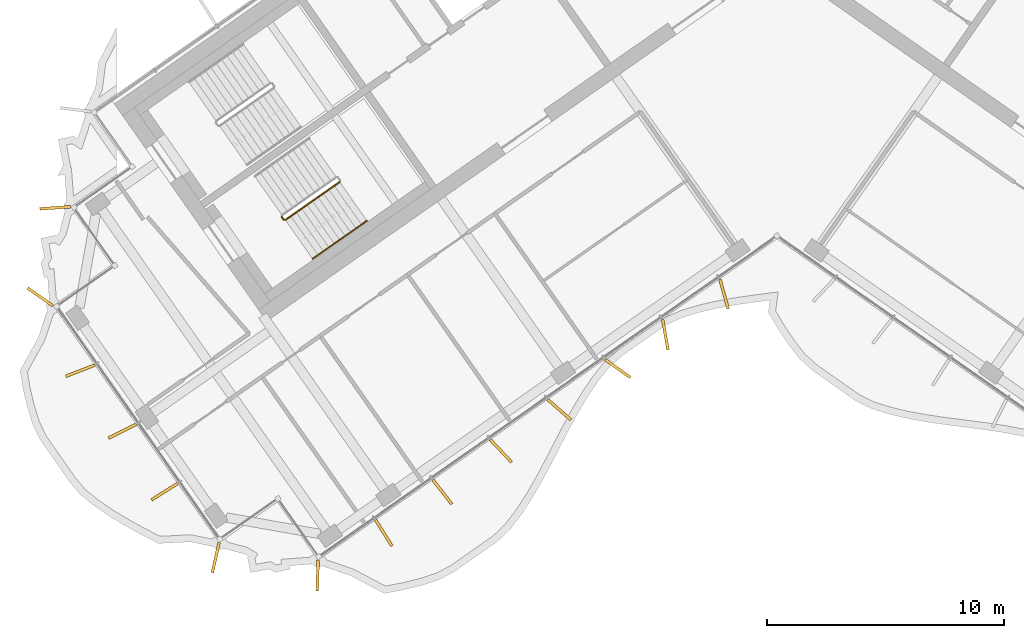
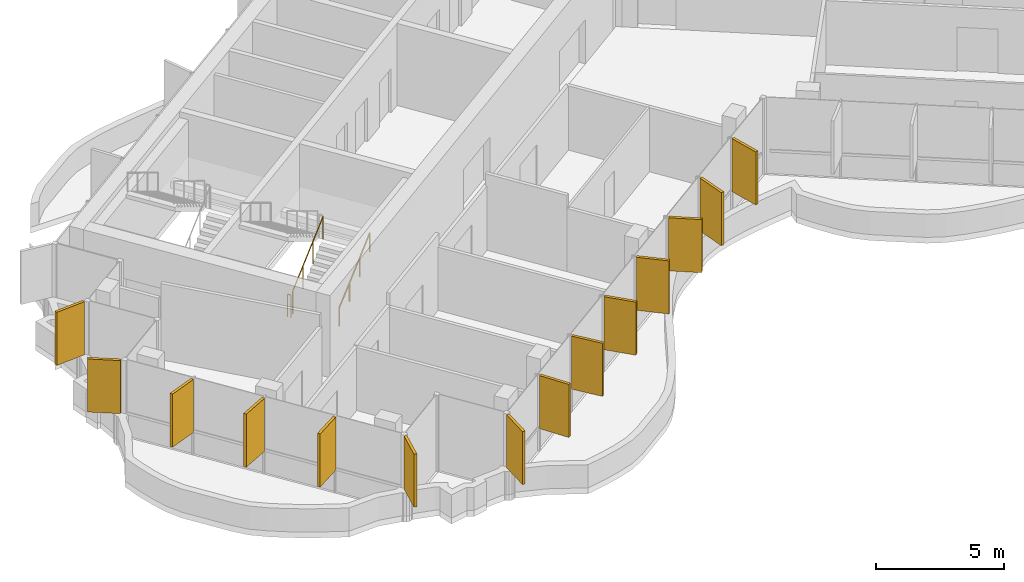
# One storey, part 13 of 18: 14 shading devices, 3 railings.
"""IFC4 building model written with IfcOpenShell, lengths in metres."""

from ifc_helpers import new_model, si_unit, direction, frame, origin, origin_2d, place, context, subcontext, project, spatial, rectangle, circle, extrude, material, layer, layer_set, type_object, element, save


model = new_model("IFC4")

# Units and contexts
model_context = context("Model", 3, precision=1e-05, world=origin(), true_north=direction((0.0, 1.0)))
body_context = subcontext(model_context, "Body", "Model", "MODEL_VIEW")
ifc_project = project(units=[si_unit("LENGTHUNIT", "METRE"), si_unit("AREAUNIT", "SQUARE_METRE"), si_unit("VOLUMEUNIT", "CUBIC_METRE"), si_unit("PLANEANGLEUNIT", "RADIAN"), si_unit("MASSUNIT", "GRAM", prefix="KILO")], contexts=[model_context])

# Site, building, storey
site_placement = place(None, origin())
site = spatial("IfcSite", under=ifc_project, at=site_placement, CompositionType="ELEMENT")
building_placement = place(site_placement, origin())
building = spatial("IfcBuilding", under=site, at=building_placement, Name="Tel Ilan Convention Tower", CompositionType="ELEMENT")
storey_placement = place(building_placement, frame((0.0, 0.0, 299.5)))
storey = spatial("IfcBuildingStorey", under=building, at=storey_placement, Name="L71", CompositionType="ELEMENT", Elevation=299.5)

# Shading devices
ifc_material_1 = material(Name="Aluminium, bronze anodised", Category="aluminium")
ifc_layer = layer(ifc_material_1, 0.1201171875)
ifc_layer_set = layer_set([ifc_layer], Name="FIN BRONZE 1300x120")
shading_device_type = type_object("IfcShadingDeviceType", Name="FIN BRONZE 1300x120", PredefinedType="USERDEFINED", material=ifc_layer_set)
for number, where, z_axis, x_axis, name in (
    (1, (-30.472412109375, -11.51513671875, 1.10009765625), (0.0, 0.0, 1.0), (-0.997697449973, -0.067821812994, 0.0), "FIN"),
    (2, (-31.10400390625, -15.2744140625, 1.10009765625), (0.0, 0.0, 1.0), (-0.819152044289, 0.573576436351, 0.0), "FIN"),
    (3, (-29.415283203125, -18.39208984375, 1.10009765625), (0.0, 0.0, 1.0), (-0.932883704733, -0.360177724803, 0.0), "FIN"),
    (4, (-27.6357421875, -20.94482421875, 1.10009765625), (0.0, 0.0, 1.0), (-0.893632640321, -0.448799180206, 0.0), "FIN"),
    (5, (-25.8505859375, -23.494873046875, 1.10009765625), (0.0, 0.0, 1.0), (-0.845986425922, -0.533204432798, 0.0), "FIN"),
    (6, (-23.693603515625, -26.281494140625, 1.10009765625), (0.0, 0.0, 1.0), (-0.221170268371, -0.975235208752, 0.0), "FIN"),
    (7, (-19.3916015625, -27.039794921875, 1.10009765625), (0.0, 0.0, 1.0), (-0.029084718749, -0.999576950082, 0.0), "FIN"),
    (8, (-16.601806640625, -25.23828125, 1.10009765625), (0.0, 0.0, 1.0), (0.533204432798, -0.845986425922, 0.0), "FIN"),
    (9, (-14.12890625, -23.5068359375, 1.10009765625), (0.0, 0.0, 1.0), (0.612600545196, -0.790392669516, 0.0), "FIN"),
    (10, (-11.65625, -21.775146484375, 1.10009765625), (0.0, 0.0, 1.0), (0.686241637865, -0.727373641577, 0.0), "FIN"),
    (11, (-9.18798828125, -20.038818359375, 1.10009765625), (0.0, 0.0, 1.0), (0.753435896329, -0.657521368568, 0.0), "FIN"),
    (12, (-6.72412109375, -18.298583984375, 1.10009765625), (0.0, 0.0, 1.0), (0.813552070258, -0.581492071294, 0.0), "FIN"),
    (13, (-4.715576171875, -16.86962890625, 1.10009765625), (0.0, 0.0, 1.0), (0.173648177667, -0.984807753012, 0.0), "FIN"),
    (14, (-2.23583984375, -15.15576171875, 1.10009765625), (0.0, 0.0, 1.0), (0.268172612768, -0.963370878614, 0.0), "FIN"),
):
    element("IfcShadingDevice", number, at=place(storey_placement, frame(where, z_axis=z_axis, x_axis=x_axis)), inside=storey, type_object=shading_device_type, Name=name, ObjectType="FIN", PredefinedType="USERDEFINED", context=body_context, shape_type="SweptSolid", body=[
        extrude(rectangle(XDim=1.300048828125, YDim=0.1201171875, at=origin_2d()), origin(), (0.0, 0.0, 1.0), 2.52001953125),
    ])

# Railings
ifc_material_2 = material(Name="Stainless Steel Grade 316", Category="steel")
railing_type_1 = type_object("IfcRailingType", Name="Stainless Steel Stair Guard 1100 mm", PredefinedType="GUARDRAIL", material=ifc_material_2)
railing_1_placement = place(storey_placement, frame((-20.753662109375, -12.029296875, 0.17724609375)))
element("IfcRailing", 15, at=railing_1_placement, inside=storey, type_object=railing_type_1, Name="L71 S2 stair guard 1", PredefinedType="GUARDRAIL", context=body_context, shape_type="SweptSolid", body=[
    extrude(circle(Radius=0.02392578125, at=origin_2d()), frame((0.0, 0.0, 1.076171875), z_axis=(0.692098378994, 0.484653031975, 0.534893701956), x_axis=(-0.573608623498, 0.819129505664, 0.0)), (0.0, 0.0, 1.0), 3.314208984375),
    extrude(circle(Radius=0.02099609375, at=origin_2d()), origin(), (0.0, 0.0, 1.0), 1.052001953125),
    extrude(circle(Radius=0.02099609375, at=origin_2d()), frame((0.7646484375, 0.535400390625, 0.5908203125)), (0.0, 0.0, 1.0), 1.052001953125),
    extrude(circle(Radius=0.02099609375, at=origin_2d()), frame((1.529052734375, 1.07080078125, 1.181884765625)), (0.0, 0.0, 1.0), 1.052001953125),
    extrude(circle(Radius=0.02099609375, at=origin_2d()), frame((2.293701171875, 1.606201171875, 1.772705078125)), (0.0, 0.0, 1.0), 1.052001953125),
])
railing_2_placement = place(storey_placement, frame((-20.8232421875, -12.016845703125, 0.0)))
element("IfcRailing", 16, at=railing_2_placement, inside=storey, type_object=railing_type_1, Name="L71 S2 stair guard 4", PredefinedType="GUARDRAIL", context=body_context, shape_type="SweptSolid", body=[
    extrude(circle(Radius=0.02392578125, at=origin_2d()), frame((0.0, 0.0, 1.076171875), z_axis=(-0.573353020881, 0.819308436089, 0.0), x_axis=(-0.819308436089, -0.573353020881, 0.0)), (0.0, 0.0, 1.0), 0.14990234375),
    extrude(circle(Radius=0.02099609375, at=origin_2d()), origin(), (0.0, 0.0, 1.0), 1.052001953125),
    extrude(circle(Radius=0.02099609375, at=origin_2d()), frame((-0.0859375, 0.122802734375, 0.0)), (0.0, 0.0, 1.0), 1.052001953125),
])
ifc_material_3 = material(Name="Stainless Steel Grade 316", Category="steel")
railing_type_2 = type_object("IfcRailingType", Name="Stainless Steel Stair Handrail 900 mm", PredefinedType="HANDRAIL", material=ifc_material_3)
railing_3_placement = place(storey_placement, frame((-19.6064453125, -13.66748046875, 0.17724609375)))
element("IfcRailing", 17, at=railing_3_placement, inside=storey, type_object=railing_type_2, Name="L71 S2 stair handrail 1", PredefinedType="HANDRAIL", context=body_context, shape_type="SweptSolid", body=[
    extrude(circle(Radius=0.02392578125, at=origin_2d()), frame((0.0, 0.0, 0.8759765625), z_axis=(0.692123088272, 0.484596665743, 0.534912798717), x_axis=(-0.573550118428, 0.819170471667, 0.0)), (0.0, 0.0, 1.0), 3.31396484375),
    extrude(circle(Radius=0.02099609375, at=origin_2d()), origin(), (0.0, 0.0, 1.0), 0.851806640625),
    extrude(circle(Radius=0.02099609375, at=origin_2d()), frame((0.7646484375, 0.535400390625, 0.5908203125)), (0.0, 0.0, 1.0), 0.851806640625),
    extrude(circle(Radius=0.02099609375, at=origin_2d()), frame((1.529052734375, 1.070556640625, 1.181884765625)), (0.0, 0.0, 1.0), 0.851806640625),
    extrude(circle(Radius=0.02099609375, at=origin_2d()), frame((2.293701171875, 1.60595703125, 1.772705078125)), (0.0, 0.0, 1.0), 0.851806640625),
])

save(model, "model.ifc")
